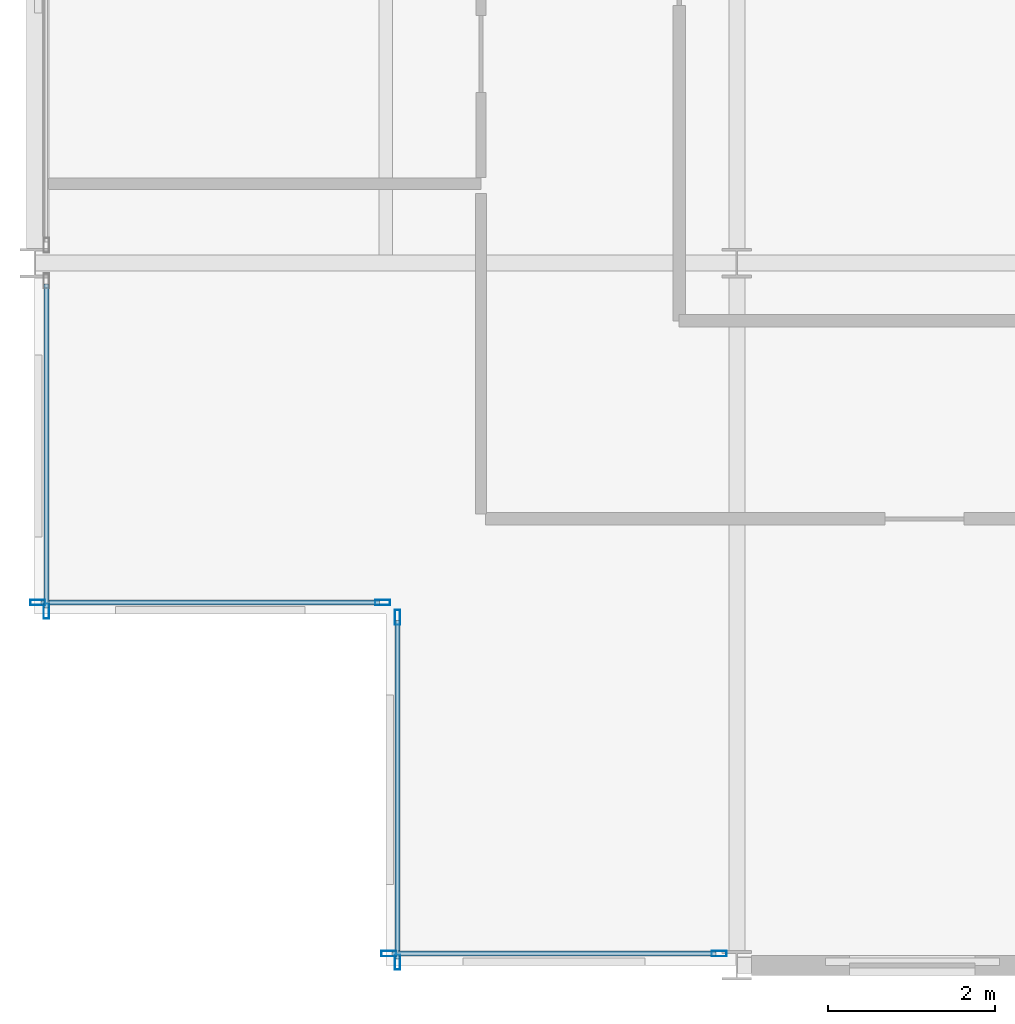
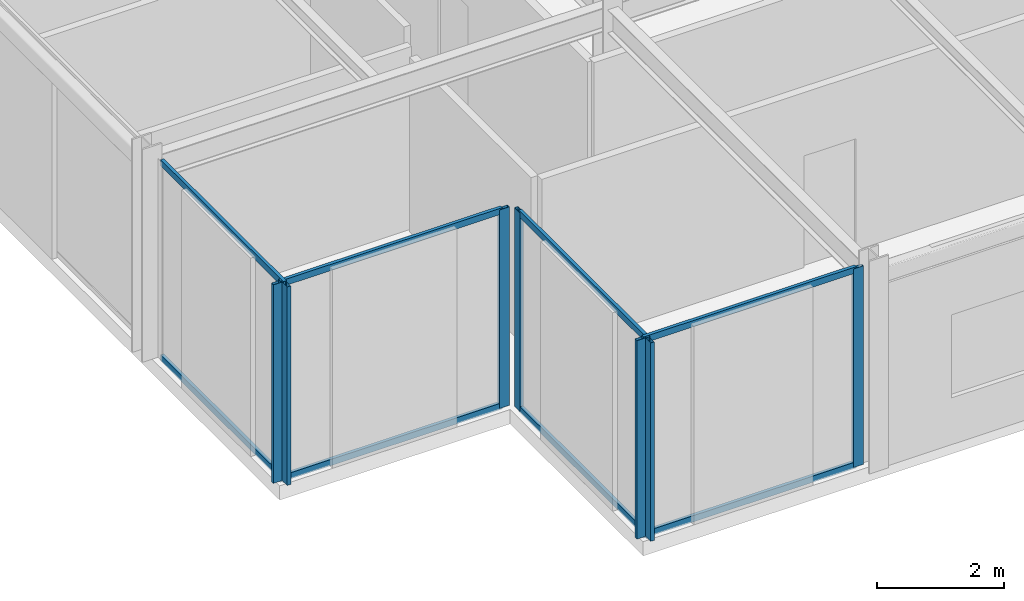
# One storey, part 2 of 25: 15 members, 4 elements without a shape of their own.
"""IFC4 building model written with IfcOpenShell, lengths in metres."""

from ifc_helpers import new_model, si_unit, direction, frame, origin, origin_2d, place, context, subcontext, project, spatial, hollow_rectangle, extrude, material, layer, layer_set, material_profile, profile_set, type_object, element, aggregate, save


model = new_model("IFC4")

# Units and contexts
model_context = context("Model", 3, precision=1e-05, world=origin(), true_north=direction((0.0, 1.0)))
body_context = subcontext(model_context, "Body", "Model", "MODEL_VIEW")
ifc_project = project(units=[si_unit("LENGTHUNIT", "METRE"), si_unit("AREAUNIT", "SQUARE_METRE"), si_unit("VOLUMEUNIT", "CUBIC_METRE"), si_unit("PLANEANGLEUNIT", "RADIAN"), si_unit("MASSUNIT", "GRAM", prefix="KILO")], contexts=[model_context])

# Site, building, storey
site_placement = place(None, origin())
site = spatial("IfcSite", under=ifc_project, at=site_placement, CompositionType="ELEMENT")
building_placement = place(site_placement, origin())
building = spatial("IfcBuilding", under=site, at=building_placement, Name="Nerrivon Quay Data Exchange", CompositionType="ELEMENT")
storey_placement = place(building_placement, frame((0.0, 0.0, 224.699951171875)))
storey = spatial("IfcBuildingStorey", under=building, at=storey_placement, Name="L53", CompositionType="ELEMENT", Elevation=224.699951171875)

# Curtain wall, members
ifc_material = material(Name="Anodised aluminium 6063-T6", Category="aluminium")
ifc_layer = layer(ifc_material, 0.195068359375)
ifc_layer_set = layer_set([ifc_layer], Name="Anodised aluminium 6063-T6")
curtain_wall_type = type_object("IfcCurtainWallType", Name="CW-SYS-06", PredefinedType="NOTDEFINED", material=ifc_layer_set)
curtain_wall_1_placement = place(storey_placement, origin())
curtain_wall_1 = element("IfcCurtainWall", 1, at=curtain_wall_1_placement, inside=storey, type_object=curtain_wall_type, Name="L53 Unitised Curtain Wall 8", PredefinedType="NOTDEFINED")
ifc_material_profile_1 = material_profile(ifc_material, hollow_rectangle(XDim=0.06494140625, YDim=0.179931640625, WallThickness=0.00341796875, at=origin_2d()), Name="ALU-MULL-180x65")
ifc_profile_set_1 = profile_set([ifc_material_profile_1], Name="Anodised aluminium 6063-T6")
member_type_1 = type_object("IfcMemberType", Name="CWM-180x65", PredefinedType="MULLION", material=ifc_profile_set_1)
member_1_placement = place(storey_placement, frame((8.1875, 0.139892578125, 0.0), z_axis=(0.0, 0.0, 1.0), x_axis=(0.0, -1.0, 0.0)))
member_1 = element("IfcMember", 2, at=member_1_placement, type_object=member_type_1, Name="CW06 mullion 1", PredefinedType="MULLION", context=body_context, shape_type="SweptSolid", body=[
    extrude(hollow_rectangle(XDim=0.06494140625, YDim=0.179931640625, WallThickness=0.00341796875, at=origin_2d()), origin(), (0.0, 0.0, 1.0), 3.824951171875),
])
member_2_placement = place(storey_placement, frame((4.237548828125, 0.139892578125, 0.0), z_axis=(0.0, 0.0, 1.0), x_axis=(0.0, -1.0, 0.0)))
member_2 = element("IfcMember", 3, at=member_2_placement, type_object=member_type_1, Name="CW06 mullion 2", PredefinedType="MULLION", context=body_context, shape_type="SweptSolid", body=[
    extrude(hollow_rectangle(XDim=0.06494140625, YDim=0.179931640625, WallThickness=0.00341796875, at=origin_2d()), origin(), (0.0, 0.0, 1.0), 3.824951171875),
])

curtain_wall_2_placement = place(storey_placement, origin())
curtain_wall_2 = element("IfcCurtainWall", 4, at=curtain_wall_2_placement, inside=storey, type_object=curtain_wall_type, Name="L53 Unitised Curtain Wall 9", PredefinedType="NOTDEFINED")
member_3_placement = place(storey_placement, frame((4.340087890625, 0.03759765625, 0.0), z_axis=(0.0, 0.0, 1.0), x_axis=(-1.0, 0.0, 0.0)))
member_3 = element("IfcMember", 5, at=member_3_placement, type_object=member_type_1, Name="CW06 mullion 1", PredefinedType="MULLION", context=body_context, shape_type="SweptSolid", body=[
    extrude(hollow_rectangle(XDim=0.06494140625, YDim=0.179931640625, WallThickness=0.00341796875, at=origin_2d()), origin(), (0.0, 0.0, 1.0), 3.824951171875),
])
member_4_placement = place(storey_placement, frame((4.340087890625, 4.16259765625, 0.0), z_axis=(0.0, 0.0, 1.0), x_axis=(-1.0, 0.0, 0.0)))
member_4 = element("IfcMember", 6, at=member_4_placement, type_object=member_type_1, Name="CW06 mullion 2", PredefinedType="MULLION", context=body_context, shape_type="SweptSolid", body=[
    extrude(hollow_rectangle(XDim=0.06494140625, YDim=0.179931640625, WallThickness=0.00341796875, at=origin_2d()), origin(), (0.0, 0.0, 1.0), 3.824951171875),
])

curtain_wall_3_placement = place(storey_placement, origin())
curtain_wall_3 = element("IfcCurtainWall", 7, at=curtain_wall_3_placement, inside=storey, type_object=curtain_wall_type, Name="L53 Unitised Curtain Wall 10", PredefinedType="NOTDEFINED")
member_5_placement = place(storey_placement, frame((4.16259765625, 4.340087890625, 0.0), z_axis=(0.0, 0.0, 1.0), x_axis=(0.0, -1.0, 0.0)))
member_5 = element("IfcMember", 8, at=member_5_placement, type_object=member_type_1, Name="CW06 mullion 1", PredefinedType="MULLION", context=body_context, shape_type="SweptSolid", body=[
    extrude(hollow_rectangle(XDim=0.06494140625, YDim=0.179931640625, WallThickness=0.00341796875, at=origin_2d()), origin(), (0.0, 0.0, 1.0), 3.824951171875),
])
member_6_placement = place(storey_placement, frame((0.03759765625, 4.340087890625, 0.0), z_axis=(0.0, 0.0, 1.0), x_axis=(0.0, -1.0, 0.0)))
member_6 = element("IfcMember", 9, at=member_6_placement, type_object=member_type_1, Name="CW06 mullion 2", PredefinedType="MULLION", context=body_context, shape_type="SweptSolid", body=[
    extrude(hollow_rectangle(XDim=0.06494140625, YDim=0.179931640625, WallThickness=0.00341796875, at=origin_2d()), origin(), (0.0, 0.0, 1.0), 3.824951171875),
])

# Curtain wall, member
curtain_wall_4_placement = place(storey_placement, origin())
curtain_wall_4 = element("IfcCurtainWall", 10, at=curtain_wall_4_placement, inside=storey, type_object=curtain_wall_type, Name="L53 Unitised Curtain Wall 11", PredefinedType="NOTDEFINED")
member_7_placement = place(storey_placement, frame((0.139892578125, 4.237548828125, 0.0), z_axis=(0.0, 0.0, 1.0), x_axis=(-1.0, 0.0, 0.0)))
member_7 = element("IfcMember", 11, at=member_7_placement, type_object=member_type_1, Name="CW06 mullion 1", PredefinedType="MULLION", context=body_context, shape_type="SweptSolid", body=[
    extrude(hollow_rectangle(XDim=0.06494140625, YDim=0.179931640625, WallThickness=0.00341796875, at=origin_2d()), origin(), (0.0, 0.0, 1.0), 3.824951171875),
])

# Member
ifc_material_profile_2 = material_profile(ifc_material, hollow_rectangle(XDim=0.06005859375, YDim=0.1201171875, WallThickness=0.003173828125, at=origin_2d()), Name="ALU-TRAN-120x60")
ifc_profile_set_2 = profile_set([ifc_material_profile_2], Name="Anodised aluminium 6063-T6")
member_type_2 = type_object("IfcMemberType", Name="CWT-120x60", PredefinedType="USERDEFINED", material=ifc_profile_set_2)
member_8_placement = place(storey_placement, frame((8.14990234375, 0.139892578125, 0.032470703125), z_axis=(-1.0, 0.0, 0.0), x_axis=(0.0, -1.0, 0.0)))
member_8 = element("IfcMember", 12, at=member_8_placement, type_object=member_type_2, Name="CW06 transom 1.1", ObjectType="TRANSOM", PredefinedType="USERDEFINED", context=body_context, shape_type="SweptSolid", body=[
    extrude(hollow_rectangle(XDim=0.06005859375, YDim=0.1201171875, WallThickness=0.003173828125, at=origin_2d()), origin(), (0.0, 0.0, 1.0), 3.875),
])

member_9_placement = place(storey_placement, frame((8.14990234375, 0.139892578125, 3.79248046875), z_axis=(-1.0, 0.0, 0.0), x_axis=(0.0, -1.0, 0.0)))
member_9 = element("IfcMember", 13, at=member_9_placement, type_object=member_type_2, Name="CW06 transom 1.2", ObjectType="TRANSOM", PredefinedType="USERDEFINED", context=body_context, shape_type="SweptSolid", body=[
    extrude(hollow_rectangle(XDim=0.06005859375, YDim=0.1201171875, WallThickness=0.003173828125, at=origin_2d()), origin(), (0.0, 0.0, 1.0), 3.875),
])

aggregate(curtain_wall_1, [member_1, member_2, member_8, member_9])

member_10_placement = place(storey_placement, frame((4.340087890625, 0.074951171875, 0.032470703125), z_axis=(0.0, 1.0, 0.0), x_axis=(-1.0, 0.0, 0.0)))
member_10 = element("IfcMember", 14, at=member_10_placement, type_object=member_type_2, Name="CW06 transom 1.1", ObjectType="TRANSOM", PredefinedType="USERDEFINED", context=body_context, shape_type="SweptSolid", body=[
    extrude(hollow_rectangle(XDim=0.06005859375, YDim=0.1201171875, WallThickness=0.003173828125, at=origin_2d()), origin(), (0.0, 0.0, 1.0), 4.050048828125),
])

member_11_placement = place(storey_placement, frame((4.340087890625, 0.074951171875, 3.79248046875), z_axis=(0.0, 1.0, 0.0), x_axis=(-1.0, 0.0, 0.0)))
member_11 = element("IfcMember", 15, at=member_11_placement, type_object=member_type_2, Name="CW06 transom 1.2", ObjectType="TRANSOM", PredefinedType="USERDEFINED", context=body_context, shape_type="SweptSolid", body=[
    extrude(hollow_rectangle(XDim=0.06005859375, YDim=0.1201171875, WallThickness=0.003173828125, at=origin_2d()), origin(), (0.0, 0.0, 1.0), 4.050048828125),
])

aggregate(curtain_wall_2, [member_3, member_4, member_10, member_11])

member_12_placement = place(storey_placement, frame((4.125, 4.340087890625, 0.032470703125), z_axis=(-1.0, 0.0, 0.0), x_axis=(0.0, -1.0, 0.0)))
member_12 = element("IfcMember", 16, at=member_12_placement, type_object=member_type_2, Name="CW06 transom 1.1", ObjectType="TRANSOM", PredefinedType="USERDEFINED", context=body_context, shape_type="SweptSolid", body=[
    extrude(hollow_rectangle(XDim=0.06005859375, YDim=0.1201171875, WallThickness=0.003173828125, at=origin_2d()), origin(), (0.0, 0.0, 1.0), 4.050048828125),
])

member_13_placement = place(storey_placement, frame((4.125, 4.340087890625, 3.79248046875), z_axis=(-1.0, 0.0, 0.0), x_axis=(0.0, -1.0, 0.0)))
member_13 = element("IfcMember", 17, at=member_13_placement, type_object=member_type_2, Name="CW06 transom 1.2", ObjectType="TRANSOM", PredefinedType="USERDEFINED", context=body_context, shape_type="SweptSolid", body=[
    extrude(hollow_rectangle(XDim=0.06005859375, YDim=0.1201171875, WallThickness=0.003173828125, at=origin_2d()), origin(), (0.0, 0.0, 1.0), 4.050048828125),
])

aggregate(curtain_wall_3, [member_5, member_6, member_12, member_13])

member_14_placement = place(storey_placement, frame((0.139892578125, 4.27490234375, 0.032470703125), z_axis=(0.0, 1.0, 0.0), x_axis=(-1.0, 0.0, 0.0)))
member_14 = element("IfcMember", 18, at=member_14_placement, type_object=member_type_2, Name="CW06 transom 1.1", ObjectType="TRANSOM", PredefinedType="USERDEFINED", context=body_context, shape_type="SweptSolid", body=[
    extrude(hollow_rectangle(XDim=0.06005859375, YDim=0.1201171875, WallThickness=0.003173828125, at=origin_2d()), origin(), (0.0, 0.0, 1.0), 3.875),
])

member_15_placement = place(storey_placement, frame((0.139892578125, 4.27490234375, 3.79248046875), z_axis=(0.0, 1.0, 0.0), x_axis=(-1.0, 0.0, 0.0)))
member_15 = element("IfcMember", 19, at=member_15_placement, type_object=member_type_2, Name="CW06 transom 1.2", ObjectType="TRANSOM", PredefinedType="USERDEFINED", context=body_context, shape_type="SweptSolid", body=[
    extrude(hollow_rectangle(XDim=0.06005859375, YDim=0.1201171875, WallThickness=0.003173828125, at=origin_2d()), origin(), (0.0, 0.0, 1.0), 3.875),
])

aggregate(curtain_wall_4, [member_7, member_14, member_15])

save(model, "model.ifc")
